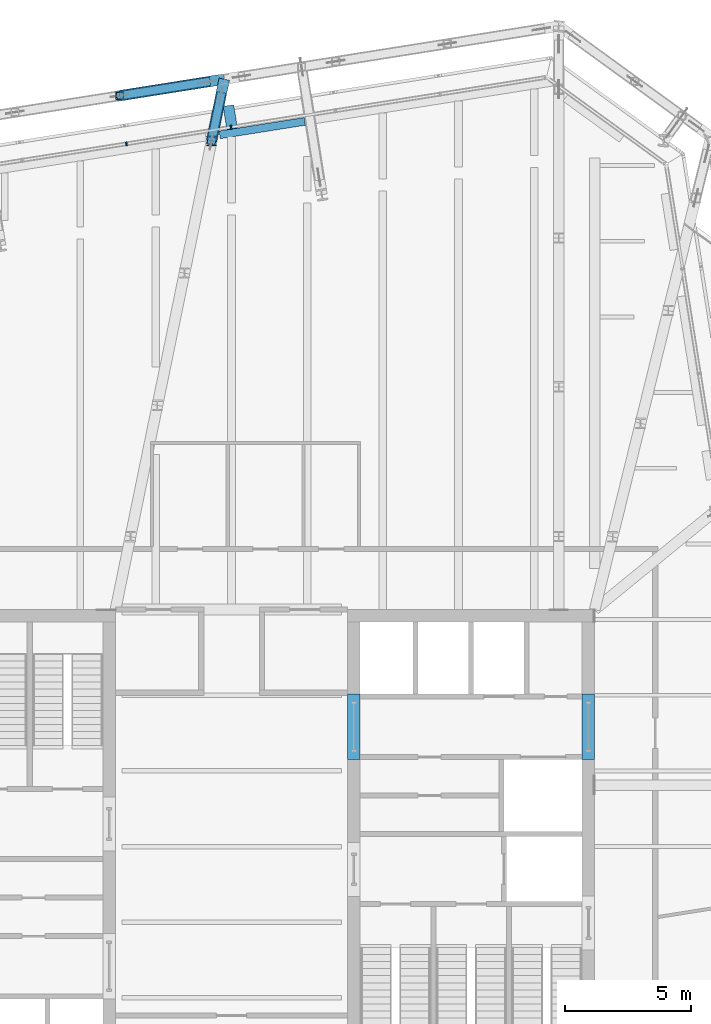
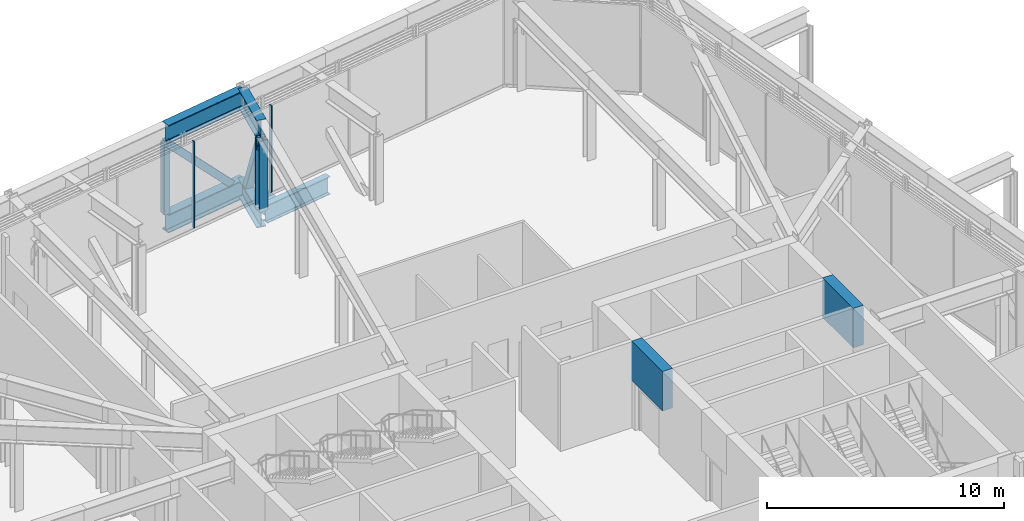
# One storey, part 15 of 35: 8 beams, 6 members, 1 element without a shape of its own.
"""IFC4 building model written with IfcOpenShell, lengths in metres."""

from ifc_helpers import new_model, si_unit, direction, frame, origin, origin_2d, place, context, subcontext, project, spatial, rectangle, hollow_rectangle, i_section, extrude, material, layer, layer_set, material_profile, profile_set, type_object, element, aggregate, save


model = new_model("IFC4")

# Units and contexts
model_context = context("Model", 3, precision=1e-05, world=origin(), true_north=direction((0.0, 1.0)))
body_context = subcontext(model_context, "Body", "Model", "MODEL_VIEW")
ifc_project = project(units=[si_unit("LENGTHUNIT", "METRE"), si_unit("AREAUNIT", "SQUARE_METRE"), si_unit("VOLUMEUNIT", "CUBIC_METRE"), si_unit("PLANEANGLEUNIT", "RADIAN"), si_unit("MASSUNIT", "GRAM", prefix="KILO")], contexts=[model_context])

# Site, building, storey
site_placement = place(None, origin())
site = spatial("IfcSite", under=ifc_project, at=site_placement, CompositionType="ELEMENT")
building_placement = place(site_placement, origin())
building = spatial("IfcBuilding", under=site, at=building_placement, Name="Millrace Tower", CompositionType="ELEMENT")
storey_placement = place(building_placement, frame((0.0, 0.0, 200.10009765625)))
storey = spatial("IfcBuildingStorey", under=building, at=storey_placement, Name="L45", CompositionType="ELEMENT", Elevation=200.10009765625)

# Curtain wall, members
ifc_material_1 = material(Name="Aluminium and glass", Category="aluminium")
ifc_layer = layer(ifc_material_1, 0.14990234375)
ifc_layer_set = layer_set([ifc_layer], Name="Aluminium and glass")
curtain_wall_type = type_object("IfcCurtainWallType", Name="CW-5 truss and plant storey louvred infill", PredefinedType="NOTDEFINED", material=ifc_layer_set)
curtain_wall_placement = place(storey_placement, origin())
curtain_wall = element("IfcCurtainWall", 1, at=curtain_wall_placement, inside=storey, type_object=curtain_wall_type, Name="Curtain wall D-F06 L45", PredefinedType="NOTDEFINED")
ifc_material_2 = material(Name="Aluminium", Category="aluminium")
ifc_material_profile_1 = material_profile(ifc_material_2, rectangle(XDim=0.06494140625, YDim=0.14990234375, at=origin_2d()))
ifc_profile_set_1 = profile_set([ifc_material_profile_1], Name="Aluminium")
member_type_1 = type_object("IfcMemberType", Name="CW-5 truss and plant storey louvred infill mullion", PredefinedType="MULLION", material=ifc_profile_set_1)
member_1_placement = place(storey_placement, frame((-0.019287109375, 28.521240234375, 0.139892578125), z_axis=(0.0, 0.0, 1.0), x_axis=(-0.987688339511, -0.156434471884, 0.0)))
member_1 = element("IfcMember", 2, at=member_1_placement, type_object=member_type_1, Name="CW5 mullion D-F06.4", PredefinedType="MULLION", context=body_context, shape_type="SweptSolid", body=[
    extrude(rectangle(XDim=0.06494140625, YDim=0.14990234375, at=origin_2d()), origin(), (0.0, 0.0, 1.0), 4.4599609375),
])
member_2_placement = place(storey_placement, frame((-4.167724609375, 27.8642578125, 0.139892578125), z_axis=(0.0, 0.0, 1.0), x_axis=(-0.987688339511, -0.156434471884, 0.0)))
member_2 = element("IfcMember", 3, at=member_2_placement, type_object=member_type_1, Name="CW5 mullion D-F06.5", PredefinedType="MULLION", context=body_context, shape_type="SweptSolid", body=[
    extrude(rectangle(XDim=0.06494140625, YDim=0.14990234375, at=origin_2d()), origin(), (0.0, 0.0, 1.0), 4.4599609375),
])
aggregate(curtain_wall, [member_1, member_2])

# Beams
ifc_material_3 = material(Name="Concrete C60", Category="concrete")
ifc_material_profile_2 = material_profile(ifc_material_3, rectangle(XDim=0.5, YDim=2.0400390625, at=origin_2d()))
ifc_profile_set_2 = profile_set([ifc_material_profile_2], Name="Concrete C60")
beam_type_1 = type_object("IfcBeamType", Name="Coupling beam 500 x 2040 Concrete C60, 2000 opening", PredefinedType="BEAM", material=ifc_profile_set_2)
for number, where, z_axis, x_axis, name in (
    (4, (14.14990234375, 6.050048828125, 3.419921875), (0.0, -1.0, 0.0), (1.0, 0.0, 0.0), "Coupling beam E L45"),
    (5, (4.85009765625, 6.050048828125, 3.419921875), (0.0, -1.0, 0.0), (1.0, 0.0, 0.0), "Coupling beam E L45"),
):
    element("IfcBeam", number, at=place(storey_placement, frame(where, z_axis=z_axis, x_axis=x_axis)), inside=storey, type_object=beam_type_1, Name=name, PredefinedType="BEAM", context=body_context, shape_type="SweptSolid", body=[
        extrude(rectangle(XDim=0.5, YDim=2.0400390625, at=origin_2d()), origin(), (0.0, 0.0, 1.0), 2.60009765625),
    ])
ifc_material_4 = material(Name="Steel ASTM A992 Grade 50", Category="steel")
ifc_material_profile_3 = material_profile(ifc_material_4, i_section(OverallWidth=0.421630859375, OverallDepth=0.95751953125, WebThickness=0.02587890625, FlangeThickness=0.046875, FilletRadius=0.024169921875, at=origin_2d()))
ifc_profile_set_3 = profile_set([ifc_material_profile_3], Name="Steel ASTM A992 Grade 50")
beam_type_2 = type_object("IfcBeamType", Name="Link beam W36x330", PredefinedType="BEAM", material=ifc_profile_set_3)
beam_1_placement = place(storey_placement, frame((0.0244140625, 28.452392578125, -0.638916015625), z_axis=(-0.156482265743, 0.987680768522, 0.0), x_axis=(-0.987680768522, -0.156482265743, 0.0)))
element("IfcBeam", 6, at=beam_1_placement, inside=storey, type_object=beam_type_2, Name="LNK-D-L45-S1-07", PredefinedType="BEAM", context=body_context, shape_type="SweptSolid", body=[
    extrude(i_section(OverallWidth=0.421630859375, OverallDepth=0.95751953125, WebThickness=0.02587890625, FlangeThickness=0.046875, FilletRadius=0.024169921875, at=origin_2d()), origin(), (0.0, 0.0, 1.0), 0.940673828125),
])
ifc_material_5 = material(Name="Steel ASTM A992 Grade 50", Category="steel")
ifc_material_profile_4 = material_profile(ifc_material_5, i_section(OverallWidth=0.307373046875, OverallDepth=0.927001953125, WebThickness=0.01953125, FlangeThickness=0.031982421875, FilletRadius=0.01904296875, at=origin_2d()))
ifc_profile_set_4 = profile_set([ifc_material_profile_4], Name="Steel ASTM A992 Grade 50")
beam_type_3 = type_object("IfcBeamType", Name="Ring beam short span W36x194", PredefinedType="SPANDREL", material=ifc_profile_set_4)
beam_2_placement = place(storey_placement, frame((-0.468994140625, 28.218505859375, -0.62353515625), z_axis=(0.98768343876, 0.156465410873, 0.0), x_axis=(-0.156465410873, 0.98768343876, 0.0)))
element("IfcBeam", 7, at=beam_2_placement, inside=storey, type_object=beam_type_3, Name="RNG-D-L45-S1-07-a", PredefinedType="SPANDREL", context=body_context, shape_type="SweptSolid", body=[
    extrude(i_section(OverallWidth=0.307373046875, OverallDepth=0.927001953125, WebThickness=0.01953125, FlangeThickness=0.031982421875, FilletRadius=0.01904296875, at=origin_2d()), origin(), (0.0, 0.0, 1.0), 3.41552734375),
])

# Member
ifc_material_6 = material(Name="Steel ASTM A992 Grade 50", Category="steel")
ifc_material_profile_5 = material_profile(ifc_material_6, i_section(OverallWidth=0.40380859375, OverallDepth=0.406494140625, WebThickness=0.027099609375, FlangeThickness=0.043701171875, FilletRadius=0.01513671875, at=origin_2d()))
ifc_profile_set_5 = profile_set([ifc_material_profile_5], Name="Steel ASTM A992 Grade 50")
member_type_2 = type_object("IfcMemberType", Name="Transfer truss Vierendeel moment post W14x233", PredefinedType="POST", material=ifc_profile_set_5)
member_3_placement = place(storey_placement, frame((-0.79052734375, 27.978759765625, -0.16015625), z_axis=(0.0, 0.0, 1.0), x_axis=(1.0, 0.0, 0.0)))
element("IfcMember", 8, at=member_3_placement, inside=storey, type_object=member_type_2, Name="TRS-L45-C11-V01", PredefinedType="POST", context=body_context, shape_type="SweptSolid", body=[
    extrude(i_section(OverallWidth=0.40380859375, OverallDepth=0.406494140625, WebThickness=0.027099609375, FlangeThickness=0.043701171875, FilletRadius=0.01513671875, at=origin_2d()), origin(), (0.0, 0.0, 1.0), 3.652587890625),
])

# Beams
ifc_material_7 = material(Name="Steel ASTM A992 Grade 50", Category="steel")
ifc_material_profile_6 = material_profile(ifc_material_7, i_section(OverallWidth=0.424072265625, OverallDepth=0.947509765625, WebThickness=0.02392578125, FlangeThickness=0.042724609375, FilletRadius=0.024169921875, at=origin_2d()))
ifc_profile_set_6 = profile_set([ifc_material_profile_6], Name="Steel ASTM A992 Grade 50")
beam_type_4 = type_object("IfcBeamType", Name="Transfer truss chord W36x302", PredefinedType="BEAM", material=ifc_profile_set_6)
for number, where, z_axis, x_axis, name in (
    (9, (-0.288330078125, 30.427734375, -0.6337890625), (-0.987690751091, -0.156419245009, 0.0), (0.156419245009, -0.987690751091, 0.0), "TRS-L45-R11-B01"),
    (10, (-0.288330078125, 30.427734375, 3.96630859375), (-0.987690751091, -0.156419245009, 0.0), (0.156419245009, -0.987690751091, 0.0), "TRS-L45-R11-T01"),
):
    element("IfcBeam", number, at=place(storey_placement, frame(where, z_axis=z_axis, x_axis=x_axis)), inside=storey, type_object=beam_type_4, Name=name, PredefinedType="BEAM", context=body_context, shape_type="SweptSolid", body=[
        extrude(i_section(OverallWidth=0.424072265625, OverallDepth=0.947509765625, WebThickness=0.02392578125, FlangeThickness=0.042724609375, FilletRadius=0.024169921875, at=origin_2d()), origin(), (0.0, 0.0, 1.0), 4.2001953125),
    ])
for number, where, z_axis, x_axis, name in (
    (11, (-0.288330078125, 30.427734375, -0.6337890625), (-0.200884069343, -0.979615021671, 0.0), (0.979615021671, -0.200884069343, 0.0), "TRS-L45-C11-B01"),
    (12, (-0.288330078125, 30.427734375, 3.96630859375), (-0.200884069343, -0.979615021671, 0.0), (0.979615021671, -0.200884069343, 0.0), "TRS-L45-C11-T01"),
):
    element("IfcBeam", number, at=place(storey_placement, frame(where, z_axis=z_axis, x_axis=x_axis)), inside=storey, type_object=beam_type_4, Name=name, PredefinedType="BEAM", context=body_context, shape_type="SweptSolid", body=[
        extrude(i_section(OverallWidth=0.424072265625, OverallDepth=0.947509765625, WebThickness=0.02392578125, FlangeThickness=0.042724609375, FilletRadius=0.024169921875, at=origin_2d()), origin(), (0.0, 0.0, 1.0), 2.5),
    ])

# Members
ifc_material_8 = material(Name="Steel ASTM A500 Grade C", Category="steel")
ifc_material_profile_7 = material_profile(ifc_material_8, hollow_rectangle(XDim=0.355712890625, YDim=0.355712890625, WallThickness=0.015869140625, InnerFilletRadius=0.008056640625, OuterFilletRadius=0.02392578125, at=origin_2d()))
ifc_profile_set_7 = profile_set([ifc_material_profile_7], Name="Steel ASTM A500 Grade C")
member_type_3 = type_object("IfcMemberType", Name="Transfer truss diagonal HSS14x14x5/8", PredefinedType="BRACE", material=ifc_profile_set_7)
member_4_placement = place(storey_placement, frame((-0.979736328125, 30.318359375, -0.16015625), z_axis=(-0.683358074397, -0.108246621531, 0.722014134961), x_axis=(0.156453267504, -0.987685362394, 0.0)))
element("IfcMember", 13, at=member_4_placement, inside=storey, type_object=member_type_3, Name="TRS-L45-R11-D01", PredefinedType="BRACE", context=body_context, shape_type="SweptSolid", body=[
    extrude(hollow_rectangle(XDim=0.355712890625, YDim=0.355712890625, WallThickness=0.015869140625, InnerFilletRadius=0.008056640625, OuterFilletRadius=0.02392578125, at=origin_2d()), origin(), (0.0, 0.0, 1.0), 5.058837890625),
])
member_5_placement = place(storey_placement, frame((-0.428955078125, 29.741943359375, -0.16015625), z_axis=(-0.088795389449, -0.433004930858, 0.897007306919), x_axis=(0.979614337774, -0.200887404354, 0.0)))
element("IfcMember", 14, at=member_5_placement, inside=storey, type_object=member_type_3, Name="TRS-L45-C11-D01", PredefinedType="BRACE", context=body_context, shape_type="SweptSolid", body=[
    extrude(hollow_rectangle(XDim=0.355712890625, YDim=0.355712890625, WallThickness=0.015869140625, InnerFilletRadius=0.008056640625, OuterFilletRadius=0.02392578125, at=origin_2d()), origin(), (0.0, 0.0, 1.0), 4.072021484375),
])
ifc_material_9 = material(Name="Steel ASTM A500 Grade C", Category="steel")
ifc_material_profile_8 = material_profile(ifc_material_9, hollow_rectangle(XDim=0.3046875, YDim=0.3046875, WallThickness=0.0126953125, InnerFilletRadius=0.00634765625, OuterFilletRadius=0.01904296875, at=origin_2d()))
ifc_profile_set_8 = profile_set([ifc_material_profile_8], Name="Steel ASTM A500 Grade C")
member_type_4 = type_object("IfcMemberType", Name="Transfer truss post HSS12x12x1/2", PredefinedType="POST", material=ifc_profile_set_8)
member_6_placement = place(storey_placement, frame((-4.436767578125, 29.770751953125, -0.16015625), z_axis=(0.0, 0.0, 1.0), x_axis=(1.0, 0.0, 0.0)))
element("IfcMember", 15, at=member_6_placement, inside=storey, type_object=member_type_4, Name="TRS-L45-R11-V01", PredefinedType="POST", context=body_context, shape_type="SweptSolid", body=[
    extrude(hollow_rectangle(XDim=0.3046875, YDim=0.3046875, WallThickness=0.0126953125, InnerFilletRadius=0.00634765625, OuterFilletRadius=0.01904296875, at=origin_2d()), origin(), (0.0, 0.0, 1.0), 3.652587890625),
])

save(model, "model.ifc")
